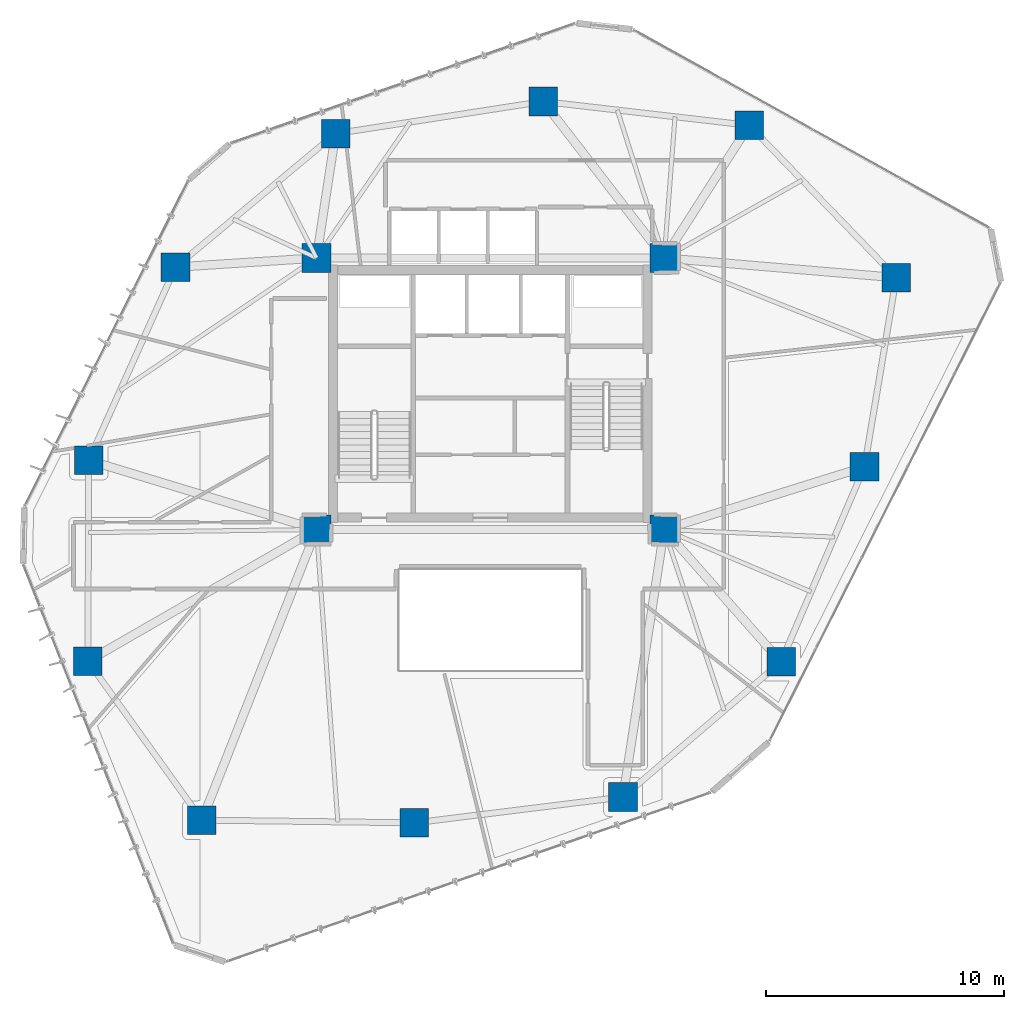
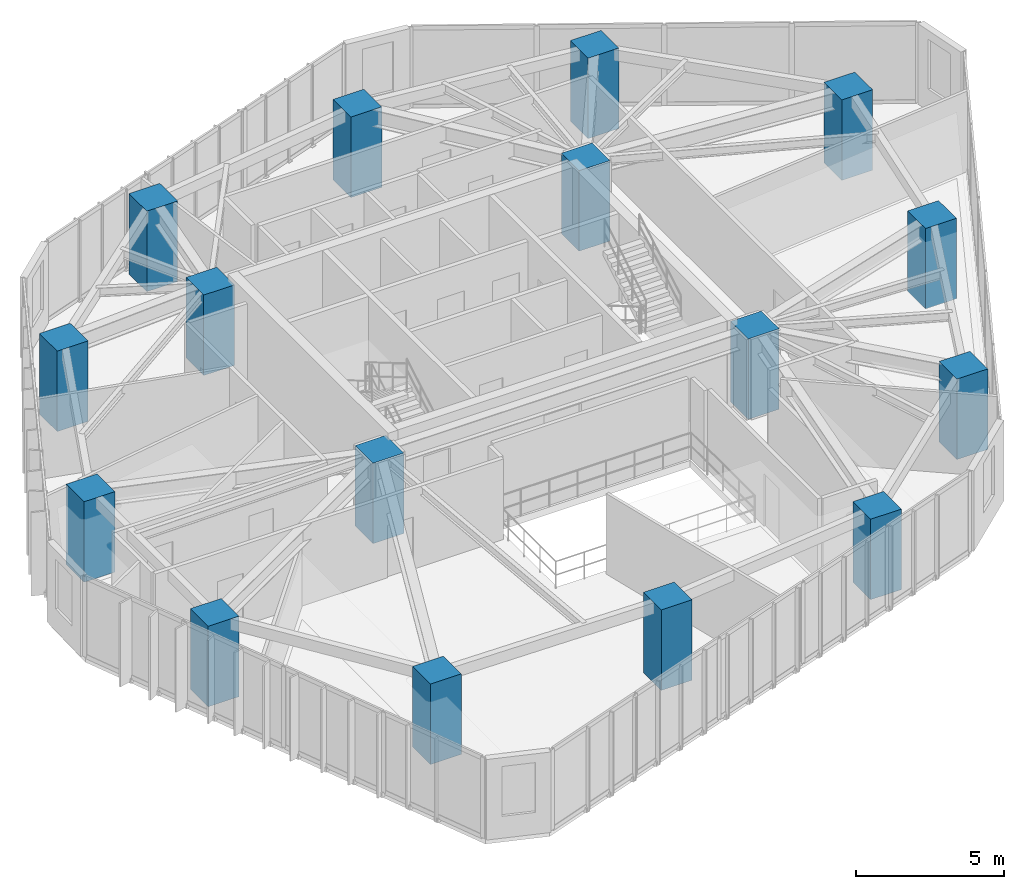
# One storey, part 1 of 21: 16 columns.
"""IFC4 building model written with IfcOpenShell, lengths in metres."""

from ifc_helpers import new_model, si_unit, direction, frame, origin, origin_2d, place, context, subcontext, project, spatial, rectangle, extrude, material, material_profile, profile_set, type_object, element, save


model = new_model("IFC4")

# Units and contexts
model_context = context("Model", 3, precision=1e-05, world=origin(), true_north=direction((0.0, 1.0)))
body_context = subcontext(model_context, "Body", "Model", "MODEL_VIEW")
ifc_project = project(units=[si_unit("LENGTHUNIT", "METRE"), si_unit("AREAUNIT", "SQUARE_METRE"), si_unit("VOLUMEUNIT", "CUBIC_METRE"), si_unit("PLANEANGLEUNIT", "RADIAN"), si_unit("MASSUNIT", "GRAM", prefix="KILO")], contexts=[model_context])

# Site, building, storey
site_placement = place(None, origin())
site = spatial("IfcSite", under=ifc_project, at=site_placement, CompositionType="ELEMENT")
building_placement = place(site_placement, origin())
building = spatial("IfcBuilding", under=site, at=building_placement, Name="Talar Marvaseh", CompositionType="ELEMENT")
storey_placement = place(building_placement, frame((0.0, 0.0, 147.0)))
storey = spatial("IfcBuildingStorey", under=building, at=storey_placement, Name="L38", CompositionType="ELEMENT", Elevation=147.0)

# Columns
ifc_material = material(Name="Concrete C60/75", Category="concrete")
ifc_material_profile = material_profile(ifc_material, rectangle(XDim=1.199951171875, YDim=1.199951171875, at=origin_2d()), Name="RC1200x1200")
ifc_profile_set = profile_set([ifc_material_profile], Name="Concrete C60/75")
column_type = type_object("IfcColumnType", Name="Zone 2 Tube Column RC1200x1200", PredefinedType="COLUMN", material=ifc_profile_set)
for number, where, z_axis, x_axis, name in (
    (1, (36.865966796875, 42.470947265625, 0.0), (0.0, 0.0, 1.0), (1.0, 0.0, 0.0), "L38 Zone 2 Tube Column RC1200x1200"),
    (2, (43.0439453125, 36.075927734375, 0.0), (0.0, 0.0, 1.0), (1.0, 0.0, 0.0), "L38 Zone 2 Tube Column RC1200x1200"),
    (3, (41.708984375, 28.1279296875, 0.0), (0.0, 0.0, 1.0), (1.0, 0.0, 0.0), "L38 Zone 2 Tube Column RC1200x1200"),
    (4, (38.2060546875, 19.94091796875, 0.0), (0.0, 0.0, 1.0), (1.0, 0.0, 0.0), "L38 Zone 2 Tube Column RC1200x1200"),
    (5, (31.570068359375, 14.26806640625, 0.0), (0.0, 0.0, 1.0), (1.0, 0.0, 0.0), "L38 Zone 2 Tube Column RC1200x1200"),
    (6, (22.804931640625, 13.18310546875, 0.0), (0.0, 0.0, 1.0), (1.0, 0.0, 0.0), "L38 Zone 2 Tube Column RC1200x1200"),
    (7, (13.89111328125, 13.299072265625, 0.0), (0.0, 0.0, 1.0), (1.0, 0.0, 0.0), "L38 Zone 2 Tube Column RC1200x1200"),
    (8, (9.10107421875, 19.97705078125, 0.0), (0.0, 0.0, 1.0), (1.0, 0.0, 0.0), "L38 Zone 2 Tube Column RC1200x1200"),
    (9, (9.137939453125, 28.402099609375, 0.0), (0.0, 0.0, 1.0), (1.0, 0.0, 0.0), "L38 Zone 2 Tube Column RC1200x1200"),
    (10, (12.780029296875, 36.51708984375, 0.0), (0.0, 0.0, 1.0), (1.0, 0.0, 0.0), "L38 Zone 2 Tube Column RC1200x1200"),
    (11, (19.5009765625, 42.123046875, 0.0), (0.0, 0.0, 1.0), (1.0, 0.0, 0.0), "L38 Zone 2 Tube Column RC1200x1200"),
    (12, (28.221923828125, 43.471923828125, 0.0), (0.0, 0.0, 1.0), (1.0, 0.0, 0.0), "L38 Zone 2 Tube Column RC1200x1200"),
    (13, (18.699951171875, 25.5, 0.0), (0.0, 0.0, 1.0), (1.0, 0.0, 0.0), "L38 Zone 2 Tube Column RC1200x1200"),
    (14, (33.300048828125, 25.5, 0.0), (0.0, 0.0, 1.0), (1.0, 0.0, 0.0), "L38 Zone 2 Tube Column RC1200x1200"),
    (15, (33.300048828125, 36.89990234375, 0.0), (0.0, 0.0, 1.0), (1.0, 0.0, 0.0), "L38 Zone 2 Tube Column RC1200x1200"),
    (16, (18.699951171875, 36.89990234375, 0.0), (0.0, 0.0, 1.0), (1.0, 0.0, 0.0), "L38 Zone 2 Tube Column RC1200x1200"),
):
    element("IfcColumn", number, at=place(storey_placement, frame(where, z_axis=z_axis, x_axis=x_axis)), inside=storey, type_object=column_type, Name=name, PredefinedType="COLUMN", context=body_context, shape_type="SweptSolid", body=[
        extrude(rectangle(XDim=1.199951171875, YDim=1.199951171875, at=origin_2d()), origin(), (0.0, 0.0, 1.0), 3.31005859375),
    ])

save(model, "model.ifc")
